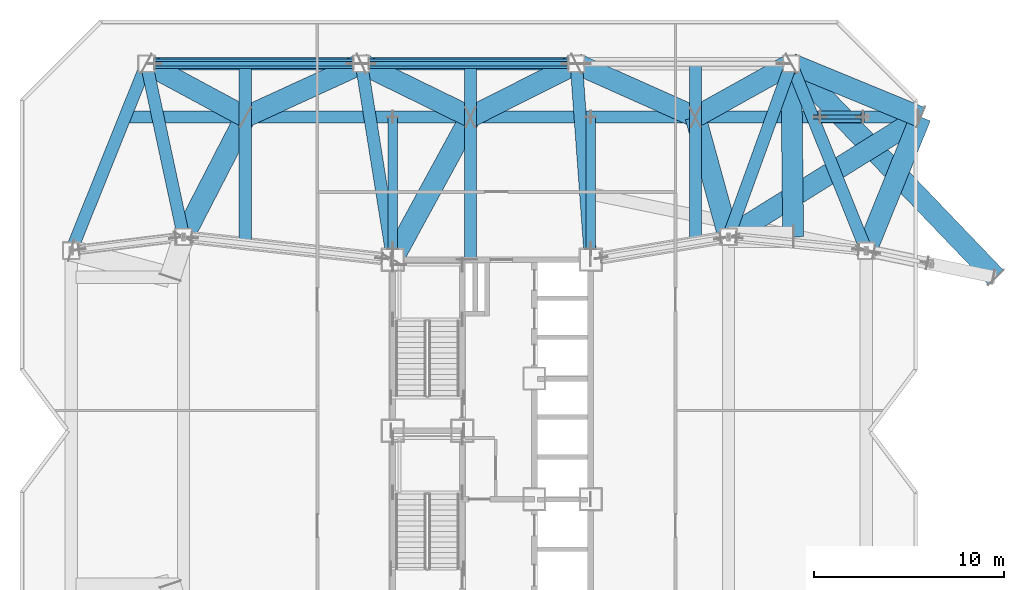
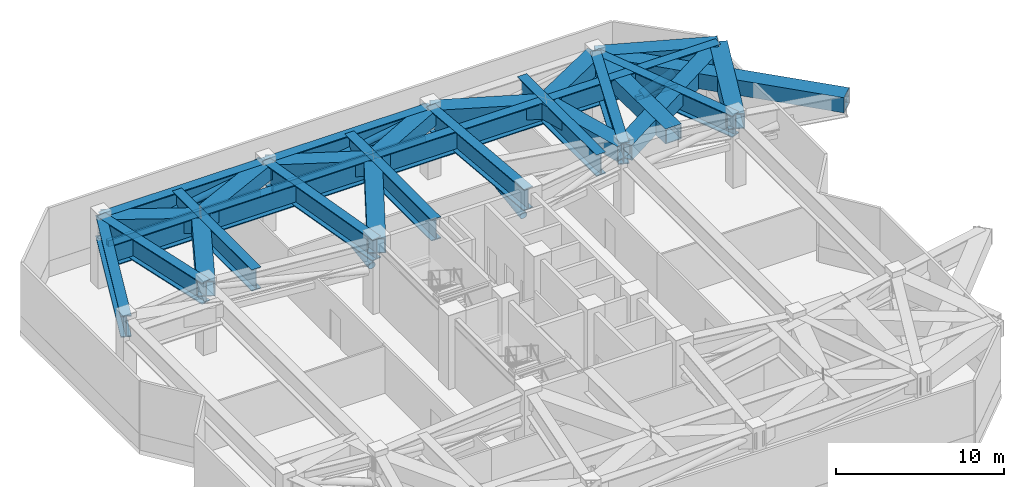
# One storey, part 5 of 19: 26 beams, 8 members.
"""IFC4 building model written with IfcOpenShell, lengths in metres."""

import ifcopenshell
import ifcopenshell.guid

model = None  # the IFC model being written
_history = None  # IfcOwnerHistory: only IFC2X3 demands one
_inside = {}  # id of a spatial element -> (the spatial element, [elements in it])
_under = {}  # id of a project, library or spatial element -> (it, [spatial elements below it])
_declared = {}  # id of a project -> (the project, [libraries it declares])
_typed = {}  # id of a type object -> (the type object, [elements of that type])
_made_of = {}  # id of a material, layer set ... -> (it, [elements and type objects made of it])


def new_model(schema):
    """Start an empty IFC model of exactly this schema.

    Asked for "IFC4X3", IfcOpenShell would pick the latest addendum, in which some entities
    have other attributes; the version numbers below select the first issue.
    IFC2X3 requires an IfcOwnerHistory on every rooted entity: one is made here for all.
    """
    global model, _history
    if schema == "IFC4X3":
        model = ifcopenshell.file(schema_version=(4, 3, 0, 0))
    else:
        model = ifcopenshell.file(schema=schema)
    _inside.clear()
    _under.clear()
    _declared.clear()
    _typed.clear()
    _made_of.clear()
    _history = None
    if model.schema == "IFC2X3":
        org = make("IfcOrganization", Name="unknown")
        user = make(
            "IfcPersonAndOrganization",
            ThePerson=make("IfcPerson", FamilyName="unknown"),
            TheOrganization=org,
        )
        app = make(
            "IfcApplication",
            ApplicationDeveloper=org,
            Version="unknown",
            ApplicationFullName="unknown",
            ApplicationIdentifier="unknown",
        )
        _history = make(
            "IfcOwnerHistory",
            OwningUser=user,
            OwningApplication=app,
            ChangeAction="ADDED",
            CreationDate=0,
        )
    return model


def make(cls, **values):
    """One entity of the class cls with the attributes given. An attribute that is None is left unset."""
    return model.create_entity(
        cls, **{name: value for name, value in values.items() if value is not None}
    )


def rooted(cls, **values):
    """An entity with a GlobalId (a new one), such as an element, a storey or a relation."""
    return make(cls, GlobalId=ifcopenshell.guid.new(), OwnerHistory=_history, **values)


def si_unit(unit_type, name, prefix=None):
    """IfcSIUnit, for example si_unit("LENGTHUNIT", "METRE", prefix="MILLI")."""
    return make("IfcSIUnit", UnitType=unit_type, Prefix=prefix, Name=name)


def assignment(units):
    """IfcUnitAssignment: the units of a project."""
    return None if units is None else make("IfcUnitAssignment", Units=units)


def point(xyz):
    """IfcCartesianPoint."""
    return None if xyz is None else make("IfcCartesianPoint", Coordinates=xyz)


def direction(xyz):
    """IfcDirection."""
    return None if xyz is None else make("IfcDirection", DirectionRatios=xyz)


def frame(location, z_axis=None, x_axis=None):
    """IfcAxis2Placement3D, a coordinate frame: its origin and axes. An axis left out is left unset."""
    return make(
        "IfcAxis2Placement3D",
        Location=point(location),
        Axis=direction(z_axis),
        RefDirection=direction(x_axis),
    )


def frame_2d(location, x_axis=None):
    """IfcAxis2Placement2D, a coordinate frame in the plane: its origin and x axis."""
    return make(
        "IfcAxis2Placement2D", Location=point(location), RefDirection=direction(x_axis)
    )


def origin():
    """The frame at (0, 0, 0) with its axes left unset."""
    return frame((0.0, 0.0, 0.0))


def origin_2d():
    """The frame at (0, 0) in the plane with its x axis left unset."""
    return frame_2d((0.0, 0.0))


def place(relative_to, where):
    """IfcLocalPlacement: puts the frame where relative to a parent placement (None: the world)."""
    return make(
        "IfcLocalPlacement", PlacementRelTo=relative_to, RelativePlacement=where
    )


def context(
    kind, dimensions, precision=None, world=None, true_north=None, identifier=None
):
    """IfcGeometricRepresentationContext, for example the 3D "Model" context."""
    return make(
        "IfcGeometricRepresentationContext",
        ContextIdentifier=identifier,
        ContextType=kind,
        CoordinateSpaceDimension=dimensions,
        Precision=precision,
        WorldCoordinateSystem=world,
        TrueNorth=true_north,
    )


def subcontext(parent, identifier, kind, view, scale=None):
    """IfcGeometricRepresentationSubContext, for example "Body" below "Model"."""
    return make(
        "IfcGeometricRepresentationSubContext",
        ContextIdentifier=identifier,
        ContextType=kind,
        ParentContext=parent,
        TargetScale=scale,
        TargetView=view,
    )


def project(units=None, contexts=None):
    """IfcProject with its units and contexts."""
    return rooted(
        "IfcProject",
        Name="project",
        RepresentationContexts=contexts,
        UnitsInContext=assignment(units),
    )


def spatial(cls, under=None, at=None, **own):
    """A site, building, storey or space (cls), placed at a placement, below another one or the project."""
    s = rooted(cls, ObjectPlacement=at, **own)
    if under is not None:
        _under.setdefault(under.id(), (under, []))[1].append(s)
    return s


def profile(cls, at=None, kind="AREA", **sizes):
    """A parametric profile (cls). Its sizes go by their IFC names, for example OverallWidth=200.0."""
    return make(cls, ProfileType=kind, Position=at, **sizes)


def hollow_rectangle(**sizes):
    """IfcRectangleHollowProfileDef."""
    return profile("IfcRectangleHollowProfileDef", **sizes)


def hollow_circle(**sizes):
    """IfcCircleHollowProfileDef."""
    return profile("IfcCircleHollowProfileDef", **sizes)


def i_section(**sizes):
    """IfcIShapeProfileDef."""
    return profile("IfcIShapeProfileDef", **sizes)


def extrude(swept, where, along, depth):
    """IfcExtrudedAreaSolid: the profile swept, set in the frame where, extruded along a direction by depth."""
    return make(
        "IfcExtrudedAreaSolid",
        SweptArea=swept,
        Position=where,
        ExtrudedDirection=direction(along),
        Depth=depth,
    )


def shape(context_of_items, identifier, shape_type, items):
    """IfcShapeRepresentation: the items that make up one representation, for example the "Body"."""
    return make(
        "IfcShapeRepresentation",
        ContextOfItems=context_of_items,
        RepresentationIdentifier=identifier,
        RepresentationType=shape_type,
        Items=items,
    )


def material(Name=None, Category=None):
    """IfcMaterial."""
    return make("IfcMaterial", Name=Name, Category=Category)


def material_profile(
    of_material, cross_section, Name=None, Category=None, Priority=None
):
    """IfcMaterialProfile: a cross section and its material."""
    return make(
        "IfcMaterialProfile",
        Name=Name,
        Material=of_material,
        Profile=cross_section,
        Priority=Priority,
        Category=Category,
    )


def profile_set(profiles, Name=None, composite=None):
    """IfcMaterialProfileSet."""
    return make(
        "IfcMaterialProfileSet",
        Name=Name,
        MaterialProfiles=profiles,
        CompositeProfile=composite,
    )


def made_of(thing, what):
    """Note that an element or type object is made of a material, layer set ...; save() writes the relation."""
    if what is not None:
        _made_of.setdefault(what.id(), (what, []))[1].append(thing)
    return thing


def type_object(cls, material=None, **own):
    """A type object (cls), such as IfcWallType, which elements share."""
    return made_of(rooted(cls, **own), material)


def element(
    cls,
    number,
    at=None,
    inside=None,
    cuts=None,
    type_object=None,
    material=None,
    context=None,
    identifier="Body",
    shape_type=None,
    held_by="IfcProductDefinitionShape",
    body=None,
    shapes=None,
    **own,
):
    """One element of the class cls, such as IfcWall. Its Tag is "e" and its number.

    at: its placement. inside: the storey or other place that contains it. cuts: it is an
    opening in that element (IfcRelVoidsElement). A single representation is given by context,
    identifier, shape_type and body (its items); several are given by shapes. held_by: the class
    of the entity that holds the representations. save() writes the other relations.
    """
    e = rooted(cls, Tag="e%d" % number, ObjectPlacement=at, **own)
    if body is not None:
        shapes = [shape(context, identifier, shape_type, body)]
    if shapes is not None:
        e.Representation = make(held_by, Representations=shapes)
    if inside is not None:
        _inside.setdefault(inside.id(), (inside, []))[1].append(e)
    if cuts is not None:
        rooted(
            "IfcRelVoidsElement", RelatingBuildingElement=cuts, RelatedOpeningElement=e
        )
    if type_object is not None:
        _typed.setdefault(type_object.id(), (type_object, []))[1].append(e)
    return made_of(e, material)


def aggregate(whole, parts):
    """IfcRelAggregates: a whole, such as a stair, and the parts it consists of."""
    return rooted("IfcRelAggregates", RelatingObject=whole, RelatedObjects=parts)


def save(model, path):
    """Write the relations noted so far, then the file.

    IfcRelAggregates (storeys below a building ...), IfcRelContainedInSpatialStructure (elements
    in a storey), IfcRelDefinesByType, IfcRelAssociatesMaterial and IfcRelDeclares: one each for
    every whole, place, type object, material and project.
    """
    for whole, parts in _under.values():
        aggregate(whole, parts)
    for where, things in _inside.values():
        rooted(
            "IfcRelContainedInSpatialStructure",
            RelatedElements=things,
            RelatingStructure=where,
        )
    for kind, things in _typed.values():
        rooted("IfcRelDefinesByType", RelatedObjects=things, RelatingType=kind)
    for what, things in _made_of.values():
        rooted("IfcRelAssociatesMaterial", RelatedObjects=things, RelatingMaterial=what)
    for by, libraries in _declared.values():
        rooted("IfcRelDeclares", RelatingContext=by, RelatedDefinitions=libraries)
    model.write(path)


model = new_model("IFC4")

# Units and contexts
model_context = context("Model", 3, precision=1e-05, world=origin(), true_north=direction((0.0, 1.0)))
body_context = subcontext(model_context, "Body", "Model", "MODEL_VIEW")
ifc_project = project(units=[si_unit("LENGTHUNIT", "METRE"), si_unit("AREAUNIT", "SQUARE_METRE"), si_unit("VOLUMEUNIT", "CUBIC_METRE"), si_unit("PLANEANGLEUNIT", "RADIAN"), si_unit("MASSUNIT", "GRAM", prefix="KILO")], contexts=[model_context])

# Site, building, storey
site_placement = place(None, origin())
site = spatial("IfcSite", under=ifc_project, at=site_placement, CompositionType="ELEMENT")
building_placement = place(site_placement, origin())
building = spatial("IfcBuilding", under=site, at=building_placement, Name="Khamvora Tower", CompositionType="ELEMENT")
storey_placement = place(building_placement, frame((0.0, 0.0, 150.5)))
storey = spatial("IfcBuildingStorey", under=building, at=storey_placement, Name="L38", CompositionType="ELEMENT", Elevation=150.5)

# Beams
ifc_material_1 = material(Name="Steel S460", Category="steel")
ifc_material_profile_1 = material_profile(ifc_material_1, hollow_rectangle(XDim=1.10009765625, YDim=1.10009765625, WallThickness=0.054931640625, at=origin_2d()), Name="BOX1100x1100x55")
ifc_profile_set_1 = profile_set([ifc_material_profile_1], Name="Steel S460")
beam_type_1 = type_object("IfcBeamType", Name="BM-TG-BOX1100", PredefinedType="BEAM", material=ifc_profile_set_1)
beam_1_placement = place(storey_placement, frame((16.050048828125, 47.300048828125, 4.429931640625), z_axis=(0.880465790352, -0.474109683532, 0.0), x_axis=(0.474109683532, 0.880465790352, 0.0)))
element("IfcBeam", 1, at=beam_1_placement, inside=storey, type_object=beam_type_1, Name="L38 Zone Transfer Truss frame transfer link N1.1", PredefinedType="BEAM", context=body_context, shape_type="SweptSolid", body=[
    extrude(hollow_rectangle(XDim=1.10009765625, YDim=1.10009765625, WallThickness=0.054931640625, at=origin_2d()), origin(), (0.0, 0.0, 1.0), 5.906005859375),
])
beam_2_placement = place(storey_placement, frame((27.35009765625, 47.300048828125, 4.429931640625), z_axis=(-0.908829319647, -0.417168152847, 0.0), x_axis=(0.417168152847, -0.908829319647, 0.0)))
element("IfcBeam", 2, at=beam_2_placement, inside=storey, type_object=beam_type_1, Name="L38 Zone Transfer Truss frame transfer link N1.2", PredefinedType="BEAM", context=body_context, shape_type="SweptSolid", body=[
    extrude(hollow_rectangle(XDim=1.10009765625, YDim=1.10009765625, WallThickness=0.054931640625, at=origin_2d()), origin(), (0.0, 0.0, 1.0), 6.712158203125),
])
beam_3_placement = place(storey_placement, frame((18.0, 38.199951171875, 4.429931640625), z_axis=(0.458460439456, 0.888714816718, 0.0), x_axis=(-0.888714816718, 0.458460439456, 0.0)))
element("IfcBeam", 3, at=beam_3_placement, inside=storey, type_object=beam_type_1, Name="L38 Zone Transfer Truss frame transfer link N1.3", PredefinedType="BEAM", context=body_context, shape_type="SweptSolid", body=[
    extrude(hollow_rectangle(XDim=1.10009765625, YDim=1.10009765625, WallThickness=0.054931640625, at=origin_2d()), origin(), (0.0, 0.0, 1.0), 7.0888671875),
])
beam_4_placement = place(storey_placement, frame((38.64990234375, 47.300048828125, 4.429931640625), z_axis=(-0.893358983494, -0.449343662034, 0.0), x_axis=(0.449343662034, -0.893358983494, 0.0)))
element("IfcBeam", 4, at=beam_4_placement, inside=storey, type_object=beam_type_1, Name="L38 Zone Transfer Truss frame transfer link N2.1", PredefinedType="BEAM", context=body_context, shape_type="SweptSolid", body=[
    extrude(hollow_rectangle(XDim=1.10009765625, YDim=1.10009765625, WallThickness=0.054931640625, at=origin_2d()), origin(), (0.0, 0.0, 1.0), 6.2314453125),
])
beam_5_placement = place(storey_placement, frame((27.35009765625, 47.300048828125, 4.429931640625), z_axis=(0.898551724598, -0.438867631778, 0.0), x_axis=(0.438867631778, 0.898551724598, 0.0)))
element("IfcBeam", 5, at=beam_5_placement, inside=storey, type_object=beam_type_1, Name="L38 Zone Transfer Truss frame transfer link N2.2", PredefinedType="BEAM", context=body_context, shape_type="SweptSolid", body=[
    extrude(hollow_rectangle(XDim=1.10009765625, YDim=1.10009765625, WallThickness=0.054931640625, at=origin_2d()), origin(), (0.0, 0.0, 1.0), 6.380126953125),
])
beam_6_placement = place(storey_placement, frame((29.0, 37.0, 4.429931640625), z_axis=(0.478138862063, 0.878284252725, 0.0), x_axis=(-0.878284252725, 0.478138862063, 0.0)))
element("IfcBeam", 6, at=beam_6_placement, inside=storey, type_object=beam_type_1, Name="L38 Zone Transfer Truss frame transfer link N2.3", PredefinedType="BEAM", context=body_context, shape_type="SweptSolid", body=[
    extrude(hollow_rectangle(XDim=1.10009765625, YDim=1.10009765625, WallThickness=0.054931640625, at=origin_2d()), origin(), (0.0, 0.0, 1.0), 8.539306640625),
])
beam_7_placement = place(storey_placement, frame((49.949951171875, 47.300048828125, 4.429931640625), z_axis=(-0.87386518861, -0.486168316671, 0.0), x_axis=(0.486168316671, -0.87386518861, 0.0)))
element("IfcBeam", 7, at=beam_7_placement, inside=storey, type_object=beam_type_1, Name="L38 Zone Transfer Truss frame transfer link N3.1", PredefinedType="BEAM", context=body_context, shape_type="SweptSolid", body=[
    extrude(hollow_rectangle(XDim=1.10009765625, YDim=1.10009765625, WallThickness=0.054931640625, at=origin_2d()), origin(), (0.0, 0.0, 1.0), 5.759521484375),
])
beam_8_placement = place(storey_placement, frame((46.64990234375, 38.199951171875, 4.429931640625), z_axis=(-0.265212930907, 0.964189867858, 0.0), x_axis=(-0.964189867858, -0.265212930907, 0.0)))
element("IfcBeam", 8, at=beam_8_placement, inside=storey, type_object=beam_type_1, Name="L38 Zone Transfer Truss frame transfer link N3.2", PredefinedType="BEAM", context=body_context, shape_type="SweptSolid", body=[
    extrude(hollow_rectangle(XDim=1.10009765625, YDim=1.10009765625, WallThickness=0.054931640625, at=origin_2d()), origin(), (0.0, 0.0, 1.0), 6.533935546875),
])
beam_9_placement = place(storey_placement, frame((38.64990234375, 47.300048828125, 4.429931640625), z_axis=(0.913016320548, -0.40792303001, 0.0), x_axis=(0.40792303001, 0.913016320548, 0.0)))
element("IfcBeam", 9, at=beam_9_placement, inside=storey, type_object=beam_type_1, Name="L38 Zone Transfer Truss frame transfer link N3.3", PredefinedType="BEAM", context=body_context, shape_type="SweptSolid", body=[
    extrude(hollow_rectangle(XDim=1.10009765625, YDim=1.10009765625, WallThickness=0.054931640625, at=origin_2d()), origin(), (0.0, 0.0, 1.0), 6.8642578125),
])
beam_10_placement = place(storey_placement, frame((49.949951171875, 47.300048828125, 4.429931640625), z_axis=(0.924676723385, -0.380753144742, 0.0), x_axis=(0.380753144742, 0.924676723385, 0.0)))
element("IfcBeam", 10, at=beam_10_placement, inside=storey, type_object=beam_type_1, Name="L38 Zone Transfer Truss frame transfer link N4.1", PredefinedType="BEAM", context=body_context, shape_type="SweptSolid", body=[
    extrude(hollow_rectangle(XDim=1.10009765625, YDim=1.10009765625, WallThickness=0.054931640625, at=origin_2d()), origin(), (0.0, 0.0, 1.0), 7.35400390625),
])
beam_11_placement = place(storey_placement, frame((53.89990234375, 37.47509765625, 4.429931640625), z_axis=(0.375950282894, 0.926639835531, 0.0), x_axis=(-0.926639835531, 0.375950282894, 0.0)))
element("IfcBeam", 11, at=beam_11_placement, inside=storey, type_object=beam_type_1, Name="L38 Zone Transfer Truss frame transfer link N4.2", PredefinedType="BEAM", context=body_context, shape_type="SweptSolid", body=[
    extrude(hollow_rectangle(XDim=1.10009765625, YDim=1.10009765625, WallThickness=0.054931640625, at=origin_2d()), origin(), (0.0, 0.0, 1.0), 7.5810546875),
])
beam_12_placement = place(storey_placement, frame((46.64990234375, 38.199951171875, 4.429931640625), z_axis=(0.848470372725, 0.529242880545, 0.0), x_axis=(-0.529242880545, 0.848470372725, 0.0)))
element("IfcBeam", 12, at=beam_12_placement, inside=storey, type_object=beam_type_1, Name="L38 Zone Transfer Truss frame transfer link N4.3", PredefinedType="BEAM", context=body_context, shape_type="SweptSolid", body=[
    extrude(hollow_rectangle(XDim=1.10009765625, YDim=1.10009765625, WallThickness=0.054931640625, at=origin_2d()), origin(), (0.0, 0.0, 1.0), 11.90380859375),
])
beam_13_placement = place(storey_placement, frame((49.949951171875, 47.300048828125, 4.429931640625), z_axis=(0.691657632591, -0.722225532142, 0.0), x_axis=(0.722225532142, 0.691657632591, 0.0)))
element("IfcBeam", 13, at=beam_13_placement, inside=storey, type_object=beam_type_1, Name="L38 Zone Transfer Truss frame transfer link E2.3", PredefinedType="BEAM", context=body_context, shape_type="SweptSolid", body=[
    extrude(hollow_rectangle(XDim=1.10009765625, YDim=1.10009765625, WallThickness=0.054931640625, at=origin_2d()), origin(), (0.0, 0.0, 1.0), 15.54248046875),
])
beam_14_placement = place(storey_placement, frame((49.949951171875, 47.300048828125, 4.429931640625), z_axis=(0.010998959032, -0.999939509621, 0.0), x_axis=(0.999939509621, 0.010998959032, 0.0)))
element("IfcBeam", 14, at=beam_14_placement, inside=storey, type_object=beam_type_1, Name="L38 Zone Transfer Truss frame transfer link M2.3", PredefinedType="BEAM", context=body_context, shape_type="SweptSolid", body=[
    extrude(hollow_rectangle(XDim=1.10009765625, YDim=1.10009765625, WallThickness=0.054931640625, at=origin_2d()), origin(), (0.0, 0.0, 1.0), 9.1005859375),
])
ifc_material_profile_2 = material_profile(ifc_material_1, i_section(OverallWidth=0.64990234375, OverallDepth=1.550048828125, WebThickness=0.0400390625, FlangeThickness=0.06494140625, at=origin_2d()), Name="PG1550x650x40x65")
ifc_profile_set_2 = profile_set([ifc_material_profile_2], Name="Steel S460")
beam_type_2 = type_object("IfcBeamType", Name="BM-TG-PG1800", PredefinedType="BEAM", material=ifc_profile_set_2)
beam_15_placement = place(storey_placement, frame((53.89990234375, 37.47509765625, 4.205078125), z_axis=(-0.373015921536, 0.927824941614, 0.0), x_axis=(-0.927824941614, -0.373015921536, 0.0)))
element("IfcBeam", 15, at=beam_15_placement, inside=storey, type_object=beam_type_2, Name="L38 perimeter spandrel beam E2-N4", PredefinedType="BEAM", context=body_context, shape_type="SweptSolid", body=[
    extrude(i_section(OverallWidth=0.64990234375, OverallDepth=1.550048828125, WebThickness=0.0400390625, FlangeThickness=0.06494140625, at=origin_2d()), origin(), (0.0, 0.0, 1.0), 10.589111328125),
])
beam_16_placement = place(storey_placement, frame((38.64990234375, 47.300048828125, 4.205078125), z_axis=(-1.0, 0.0, 0.0), x_axis=(0.0, -1.0, 0.0)))
element("IfcBeam", 16, at=beam_16_placement, inside=storey, type_object=beam_type_2, Name="L38 perimeter spandrel beam N3-N2", PredefinedType="BEAM", context=body_context, shape_type="SweptSolid", body=[
    extrude(i_section(OverallWidth=0.64990234375, OverallDepth=1.550048828125, WebThickness=0.0400390625, FlangeThickness=0.06494140625, at=origin_2d()), origin(), (0.0, 0.0, 1.0), 11.2998046875),
])
beam_17_placement = place(storey_placement, frame((27.35009765625, 47.300048828125, 4.205078125), z_axis=(-1.0, 0.0, 0.0), x_axis=(0.0, -1.0, 0.0)))
element("IfcBeam", 17, at=beam_17_placement, inside=storey, type_object=beam_type_2, Name="L38 perimeter spandrel beam N2-N1", PredefinedType="BEAM", context=body_context, shape_type="SweptSolid", body=[
    extrude(i_section(OverallWidth=0.64990234375, OverallDepth=1.550048828125, WebThickness=0.0400390625, FlangeThickness=0.06494140625, at=origin_2d()), origin(), (0.0, 0.0, 1.0), 11.300048828125),
])
beam_18_placement = place(storey_placement, frame((16.050048828125, 47.300048828125, 4.205078125), z_axis=(-0.373015921536, -0.927824941614, 0.0), x_axis=(0.927824941614, -0.373015921536, 0.0)))
element("IfcBeam", 18, at=beam_18_placement, inside=storey, type_object=beam_type_2, Name="L38 perimeter spandrel beam N1-W2", PredefinedType="BEAM", context=body_context, shape_type="SweptSolid", body=[
    extrude(i_section(OverallWidth=0.64990234375, OverallDepth=1.550048828125, WebThickness=0.0400390625, FlangeThickness=0.06494140625, at=origin_2d()), origin(), (0.0, 0.0, 1.0), 10.589111328125),
])
beam_19_placement = place(storey_placement, frame((18.0, 38.199951171875, 4.205078125), z_axis=(-0.209521922673, 0.977803949634, 0.0), x_axis=(-0.977803949634, -0.209521922673, 0.0)))
element("IfcBeam", 19, at=beam_19_placement, inside=storey, type_object=beam_type_2, Name="L38 primary floor girder N1", PredefinedType="BEAM", context=body_context, shape_type="SweptSolid", body=[
    extrude(i_section(OverallWidth=0.64990234375, OverallDepth=1.550048828125, WebThickness=0.0400390625, FlangeThickness=0.06494140625, at=origin_2d()), origin(), (0.0, 0.0, 1.0), 9.306640625),
])
beam_20_placement = place(storey_placement, frame((29.0, 37.0, 4.205078125), z_axis=(-0.158167584066, 0.987412282358, 0.0), x_axis=(-0.987412282358, -0.158167584066, 0.0)))
element("IfcBeam", 20, at=beam_20_placement, inside=storey, type_object=beam_type_2, Name="L38 primary floor girder N2", PredefinedType="BEAM", context=body_context, shape_type="SweptSolid", body=[
    extrude(i_section(OverallWidth=0.64990234375, OverallDepth=1.550048828125, WebThickness=0.0400390625, FlangeThickness=0.06494140625, at=origin_2d()), origin(), (0.0, 0.0, 1.0), 10.431396484375),
])
beam_21_placement = place(storey_placement, frame((39.39990234375, 37.0, 4.205078125), z_axis=(-0.07262291808, 0.997359469685, 0.0), x_axis=(-0.997359469685, -0.07262291808, 0.0)))
element("IfcBeam", 21, at=beam_21_placement, inside=storey, type_object=beam_type_2, Name="L38 primary floor girder N3", PredefinedType="BEAM", context=body_context, shape_type="SweptSolid", body=[
    extrude(i_section(OverallWidth=0.64990234375, OverallDepth=1.550048828125, WebThickness=0.0400390625, FlangeThickness=0.06494140625, at=origin_2d()), origin(), (0.0, 0.0, 1.0), 10.327392578125),
])
beam_22_placement = place(storey_placement, frame((46.64990234375, 38.199951171875, 4.205078125), z_axis=(0.340914681567, 0.940094239899, 0.0), x_axis=(-0.940094239899, 0.340914681567, 0.0)))
element("IfcBeam", 22, at=beam_22_placement, inside=storey, type_object=beam_type_2, Name="L38 primary floor girder N4", PredefinedType="BEAM", context=body_context, shape_type="SweptSolid", body=[
    extrude(i_section(OverallWidth=0.64990234375, OverallDepth=1.550048828125, WebThickness=0.0400390625, FlangeThickness=0.06494140625, at=origin_2d()), origin(), (0.0, 0.0, 1.0), 9.679931640625),
])
beam_23_placement = place(storey_placement, frame((21.25, 37.844970703125, 4.205078125), z_axis=(0.0, 1.0, 0.0), x_axis=(-1.0, 0.0, 0.0)))
element("IfcBeam", 23, at=beam_23_placement, inside=storey, type_object=beam_type_2, Name="L38 Zone Transfer Truss Box Girder N1", PredefinedType="BEAM", context=body_context, shape_type="SweptSolid", body=[
    extrude(i_section(OverallWidth=0.64990234375, OverallDepth=1.550048828125, WebThickness=0.0400390625, FlangeThickness=0.06494140625, at=origin_2d()), origin(), (0.0, 0.0, 1.0), 9.455078125),
])
beam_24_placement = place(storey_placement, frame((33.0830078125, 37.0, 4.205078125), z_axis=(0.0, 1.0, 0.0), x_axis=(-1.0, 0.0, 0.0)))
element("IfcBeam", 24, at=beam_24_placement, inside=storey, type_object=beam_type_2, Name="L38 Zone Transfer Truss Box Girder N2", PredefinedType="BEAM", context=body_context, shape_type="SweptSolid", body=[
    extrude(i_section(OverallWidth=0.64990234375, OverallDepth=1.550048828125, WebThickness=0.0400390625, FlangeThickness=0.06494140625, at=origin_2d()), origin(), (0.0, 0.0, 1.0), 10.300048828125),
])
beam_25_placement = place(storey_placement, frame((44.9169921875, 37.9130859375, 4.205078125), z_axis=(0.0, 1.0, 0.0), x_axis=(-1.0, 0.0, 0.0)))
element("IfcBeam", 25, at=beam_25_placement, inside=storey, type_object=beam_type_2, Name="L38 Zone Transfer Truss Box Girder N3", PredefinedType="BEAM", context=body_context, shape_type="SweptSolid", body=[
    extrude(i_section(OverallWidth=0.64990234375, OverallDepth=1.550048828125, WebThickness=0.0400390625, FlangeThickness=0.06494140625, at=origin_2d()), origin(), (0.0, 0.0, 1.0), 9.386962890625),
])
beam_26_placement = place(storey_placement, frame((14.924072265625, 44.5, 4.205078125), z_axis=(1.0, 0.0, 0.0), x_axis=(0.0, 1.0, 0.0)))
element("IfcBeam", 26, at=beam_26_placement, inside=storey, type_object=beam_type_2, Name="L38 Zone Transfer Truss Upper Box Girder N4", PredefinedType="BEAM", context=body_context, shape_type="SweptSolid", body=[
    extrude(i_section(OverallWidth=0.64990234375, OverallDepth=1.550048828125, WebThickness=0.0400390625, FlangeThickness=0.06494140625, at=origin_2d()), origin(), (0.0, 0.0, 1.0), 41.825927734375),
])

# Members
ifc_material_profile_3 = material_profile(ifc_material_1, hollow_circle(Radius=0.25390625, WallThickness=0.02490234375, at=origin_2d()), Name="CHS508x25")
ifc_profile_set_3 = profile_set([ifc_material_profile_3], Name="Steel S460")
member_type_1 = type_object("IfcMemberType", Name="MEM-BR-CHS508", PredefinedType="BRACE", material=ifc_profile_set_3)
member_1_placement = place(storey_placement, frame((16.47412109375, 47.300048828125, 2.830078125), z_axis=(0.986577044491, 0.0, 0.163296464396), x_axis=(0.0, 1.0, 0.0)))
element("IfcMember", 27, at=member_1_placement, inside=storey, type_object=member_type_1, Name="L38 Perimeter Belt Truss Diagonal 2.1", PredefinedType="BRACE", context=body_context, shape_type="SweptSolid", body=[
    extrude(hollow_circle(Radius=0.25390625, WallThickness=0.02490234375, at=origin_2d()), origin(), (0.0, 0.0, 1.0), 10.593994140625),
])
member_2_placement = place(storey_placement, frame((27.77392578125, 47.300048828125, 2.830078125), z_axis=(0.98657765898, 0.0, 0.163292751834), x_axis=(0.0, 1.0, 0.0)))
element("IfcMember", 28, at=member_2_placement, inside=storey, type_object=member_type_1, Name="L38 Perimeter Belt Truss Diagonal 2.2", PredefinedType="BRACE", context=body_context, shape_type="SweptSolid", body=[
    extrude(hollow_circle(Radius=0.25390625, WallThickness=0.02490234375, at=origin_2d()), origin(), (0.0, 0.0, 1.0), 10.59423828125),
])
ifc_material_profile_4 = material_profile(ifc_material_1, hollow_circle(Radius=0.25390625, WallThickness=0.02490234375, at=origin_2d()), Name="CHS508x25")
ifc_profile_set_4 = profile_set([ifc_material_profile_4], Name="Steel S460")
member_type_2 = type_object("IfcMemberType", Name="MEM-BR-CHS508I", PredefinedType="BRACE", material=ifc_profile_set_4)
for number, where, z_axis, x_axis, name in (
    (29, (29.0, 37.573974609375, 2.633056640625), (0.0, 0.989801017456, 0.142456820976), (-1.0, 0.0, 0.0), "L38 Transfer Girder Raking Strut N4.1"),
    (30, (39.39990234375, 37.573974609375, 2.633056640625), (0.0, 0.989801017456, 0.142456820976), (-1.0, 0.0, 0.0), "L38 Transfer Girder Raking Strut N4.2"),
):
    element("IfcMember", number, at=place(storey_placement, frame(where, z_axis=z_axis, x_axis=x_axis)), inside=storey, type_object=member_type_2, Name=name, PredefinedType="BRACE", context=body_context, shape_type="SweptSolid", body=[
        extrude(hollow_circle(Radius=0.25390625, WallThickness=0.02490234375, at=origin_2d()), origin(), (0.0, 0.0, 1.0), 6.997314453125),
    ])
ifc_material_profile_5 = material_profile(ifc_material_1, hollow_circle(Radius=0.304931640625, WallThickness=0.028076171875, at=origin_2d()), Name="CHS610x28")
ifc_profile_set_5 = profile_set([ifc_material_profile_5], Name="Steel S460")
member_type_3 = type_object("IfcMemberType", Name="MEM-BR-CHS610", PredefinedType="BRACE", material=ifc_profile_set_5)
member_3_placement = place(storey_placement, frame((51.47900390625, 44.5, 2.989013671875), z_axis=(0.937782224447, 0.0, 0.347223990402), x_axis=(0.0, 1.0, 0.0)))
element("IfcMember", 31, at=member_3_placement, inside=storey, type_object=member_type_3, Name="L38 Zone Transfer Truss Web Brace N4", PredefinedType="BRACE", context=body_context, shape_type="SweptSolid", body=[
    extrude(hollow_circle(Radius=0.304931640625, WallThickness=0.028076171875, at=origin_2d()), origin(), (0.0, 0.0, 1.0), 2.375732421875),
])
ifc_material_profile_6 = material_profile(ifc_material_1, hollow_rectangle(XDim=0.25, YDim=0.449951171875, WallThickness=0.01611328125, at=origin_2d()), Name="RHS450x250x16")
ifc_profile_set_6 = profile_set([ifc_material_profile_6], Name="Steel S460")
member_type_4 = type_object("IfcMemberType", Name="MEM-CH-RHS450", PredefinedType="CHORD", material=ifc_profile_set_6)
for number, where, z_axis, x_axis, name in (
    (32, (16.47998046875, 47.300048828125, 2.760009765625), (1.0, 0.0, 0.0), (0.0, 1.0, 0.0), "L38 Perimeter Belt Truss Bottom Chord 2.1"),
    (33, (27.780029296875, 47.300048828125, 2.760009765625), (1.0, 0.0, 0.0), (0.0, 1.0, 0.0), "L38 Perimeter Belt Truss Bottom Chord 2.2"),
):
    element("IfcMember", number, at=place(storey_placement, frame(where, z_axis=z_axis, x_axis=x_axis)), inside=storey, type_object=member_type_4, Name=name, PredefinedType="CHORD", context=body_context, shape_type="SweptSolid", body=[
        extrude(hollow_rectangle(XDim=0.25, YDim=0.449951171875, WallThickness=0.01611328125, at=origin_2d()), origin(), (0.0, 0.0, 1.0), 10.43994140625),
    ])
ifc_material_2 = material(Name="Steel S355", Category="steel")
ifc_material_profile_7 = material_profile(ifc_material_2, hollow_rectangle(XDim=0.199951171875, YDim=0.300048828125, WallThickness=0.011962890625, at=origin_2d()), Name="RHS300x200x12")
ifc_profile_set_7 = profile_set([ifc_material_profile_7], Name="Steel S355")
member_type_5 = type_object("IfcMemberType", Name="MEM-PR-RHS300", PredefinedType="PURLIN", material=ifc_profile_set_7)
member_4_placement = place(storey_placement, frame((51.075927734375, 44.5, 2.840087890625), z_axis=(1.0, 0.0, 0.0), x_axis=(0.0, 1.0, 0.0)))
element("IfcMember", 34, at=member_4_placement, inside=storey, type_object=member_type_5, Name="L38 Zone Transfer Truss Lower Chord N4", PredefinedType="PURLIN", context=body_context, shape_type="SweptSolid", body=[
    extrude(hollow_rectangle(XDim=0.199951171875, YDim=0.300048828125, WallThickness=0.011962890625, at=origin_2d()), origin(), (0.0, 0.0, 1.0), 2.837158203125),
])

save(model, "model.ifc")
